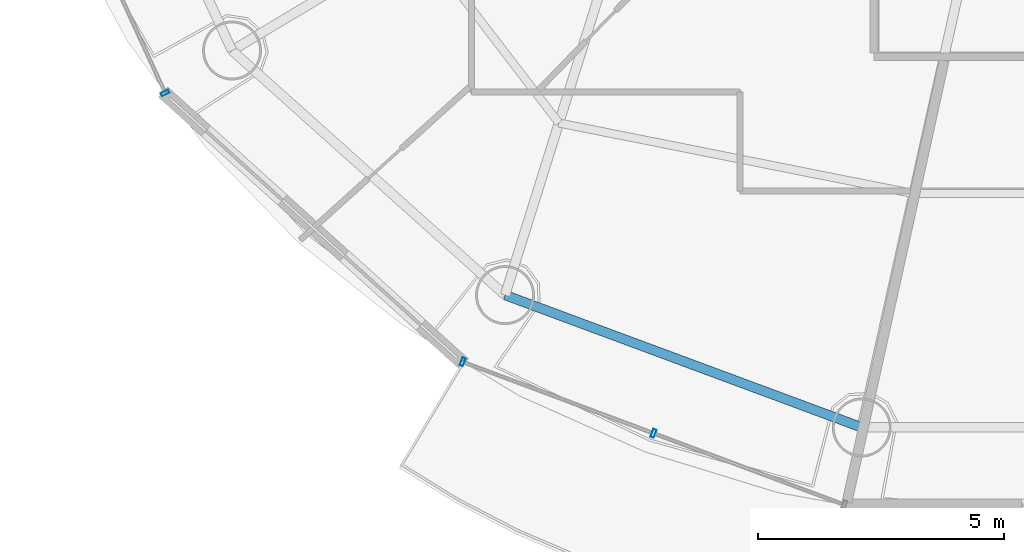
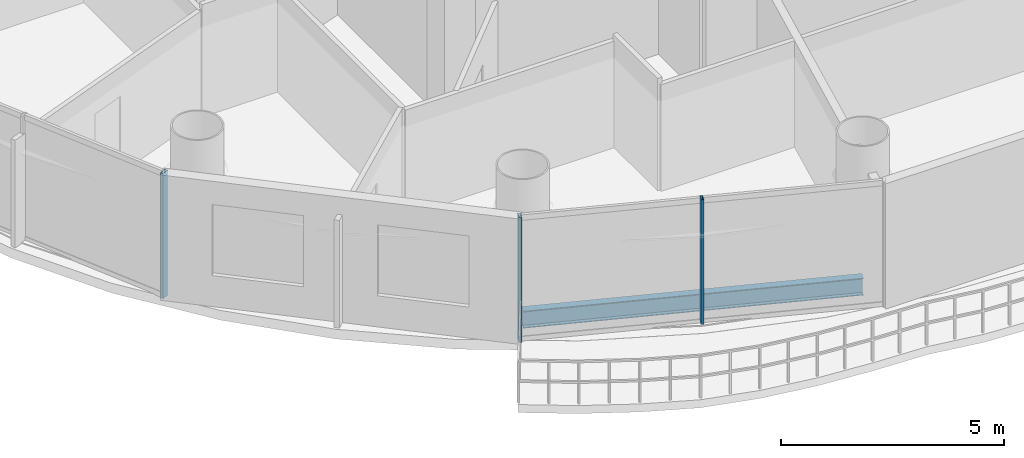
# One storey, part 2 of 26: 3 members, 1 beam, 2 elements without a shape of their own.
"""IFC4 building model written with IfcOpenShell, lengths in metres."""

from ifc_helpers import new_model, si_unit, direction, frame, origin, origin_2d, place, context, subcontext, project, spatial, hollow_rectangle, i_section, extrude, source, transform, mapped, material, material_profile, profile_set, type_object, element, aggregate, save


model = new_model("IFC4")

# Units and contexts
model_context = context("Model", 3, precision=1e-05, world=origin(), true_north=direction((-0.2419218956, 0.970295726276)))
body_context = subcontext(model_context, "Body", "Model", "MODEL_VIEW")
ifc_project = project(units=[si_unit("LENGTHUNIT", "METRE"), si_unit("AREAUNIT", "SQUARE_METRE"), si_unit("VOLUMEUNIT", "CUBIC_METRE"), si_unit("PLANEANGLEUNIT", "RADIAN"), si_unit("MASSUNIT", "GRAM", prefix="KILO")], contexts=[model_context])

# Site, building, storey
site_placement = place(None, origin())
site = spatial("IfcSite", under=ifc_project, at=site_placement, CompositionType="ELEMENT")
building_placement = place(site_placement, origin())
building = spatial("IfcBuilding", under=site, at=building_placement, Name="Cobrevalo Terracotta Tower", CompositionType="ELEMENT")
storey_placement = place(building_placement, frame((0.0, 0.0, 231.89990234375)))
storey = spatial("IfcBuildingStorey", under=building, at=storey_placement, Name="L61", CompositionType="ELEMENT", Elevation=231.89990234375)

# Beam
ifc_material_1 = material(Name="Steel S355", Category="steel")
ifc_material_profile_1 = material_profile(ifc_material_1, i_section(OverallWidth=0.194091796875, OverallDepth=0.468994140625, WebThickness=0.011474609375, FlangeThickness=0.0205078125, at=origin_2d()), Name="W 460x106")
ifc_profile_set_1 = profile_set([ifc_material_profile_1], Name="Steel S355")
beam_type = type_object("IfcBeamType", Name="Structural Spandrel W 460x106 (Steel S355)", PredefinedType="SPANDREL", material=ifc_profile_set_1)
beam_placement = place(storey_placement, frame((26.80517578125, 11.7919921875, -0.49951171875), z_axis=(0.937545996665, -0.347861328892, 0.0), x_axis=(0.347861328892, 0.937545996665, 0.0)))
element("IfcBeam", 1, at=beam_placement, inside=storey, type_object=beam_type, Name="L61 perimeter ring spandrel 11", PredefinedType="SPANDREL", context=body_context, shape_type="SweptSolid", body=[
    extrude(i_section(OverallWidth=0.194091796875, OverallDepth=0.468994140625, WebThickness=0.011474609375, FlangeThickness=0.0205078125, at=origin_2d()), origin(), (0.0, 0.0, 1.0), 7.74755859375),
])

# Curtain wall, member
ifc_material_2 = material(Name="Anodized aluminium", Category="aluminium")
curtain_wall_type = type_object("IfcCurtainWallType", Name="Mid-tower high-wind unitised curtain wall CW-U2", PredefinedType="NOTDEFINED", material=ifc_material_2)
curtain_wall_1_placement = place(storey_placement, origin())
curtain_wall_1 = element("IfcCurtainWall", 2, at=curtain_wall_1_placement, inside=storey, type_object=curtain_wall_type, Name="L61 curtain wall CW-L61-S09", PredefinedType="NOTDEFINED")
ifc_material_profile_2 = material_profile(ifc_material_2, hollow_rectangle(XDim=0.070068359375, YDim=0.169921875, WallThickness=0.00439453125, at=origin_2d()), Name="CWM 70x170")
ifc_profile_set_2 = profile_set([ifc_material_profile_2], Name="Anodized aluminium")
member_type = type_object("IfcMemberType", Name="Upper tower unitised mullion 70x170", PredefinedType="MULLION", material=ifc_profile_set_2)
shared_shape = source(origin(), body_context, "Body", "SweptSolid", [
    extrude(hollow_rectangle(XDim=0.070068359375, YDim=0.169921875, WallThickness=0.00439453125, at=origin_2d()), origin(), (0.0, 0.0, 1.0), 3.43505859375),
])
member_1_placement = place(storey_placement, frame((19.88232421875, 15.908203125, 0.0), z_axis=(0.0, 0.0, 1.0), x_axis=(0.41672507912, -0.909032567311, 0.0)))
member_1 = element("IfcMember", 3, at=member_1_placement, type_object=member_type, Name="CW-L61-S09 vertical mullion 03", PredefinedType="MULLION", context=body_context, shape_type="MappedRepresentation", body=[
    mapped(shared_shape, transform((0.0, 0.0, 0.0), scale=1.0)),
])
aggregate(curtain_wall_1, [member_1])

# Curtain wall, members
curtain_wall_2_placement = place(storey_placement, origin())
curtain_wall_2 = element("IfcCurtainWall", 4, at=curtain_wall_2_placement, inside=storey, type_object=curtain_wall_type, Name="L61 curtain wall CW-L61-S11", PredefinedType="NOTDEFINED")
member_2_placement = place(storey_placement, frame((25.942626953125, 10.430908203125, 0.0), z_axis=(0.0, 0.0, 1.0), x_axis=(0.936556004584, -0.350517974259, 0.0)))
member_2 = element("IfcMember", 5, at=member_2_placement, type_object=member_type, Name="CW-L61-S11 vertical mullion 01", PredefinedType="MULLION", context=body_context, shape_type="MappedRepresentation", body=[
    mapped(shared_shape, transform((0.0, 0.0, 0.0), scale=1.0)),
])
member_3_placement = place(storey_placement, frame((29.8291015625, 8.9765625, 0.0), z_axis=(0.0, 0.0, 1.0), x_axis=(0.936556004584, -0.350517974259, 0.0)))
member_3 = element("IfcMember", 6, at=member_3_placement, type_object=member_type, Name="CW-L61-S11 vertical mullion 02", PredefinedType="MULLION", context=body_context, shape_type="MappedRepresentation", body=[
    mapped(shared_shape, transform((0.0, 0.0, 0.0), scale=1.0)),
])
aggregate(curtain_wall_2, [member_2, member_3])

save(model, "model.ifc")
